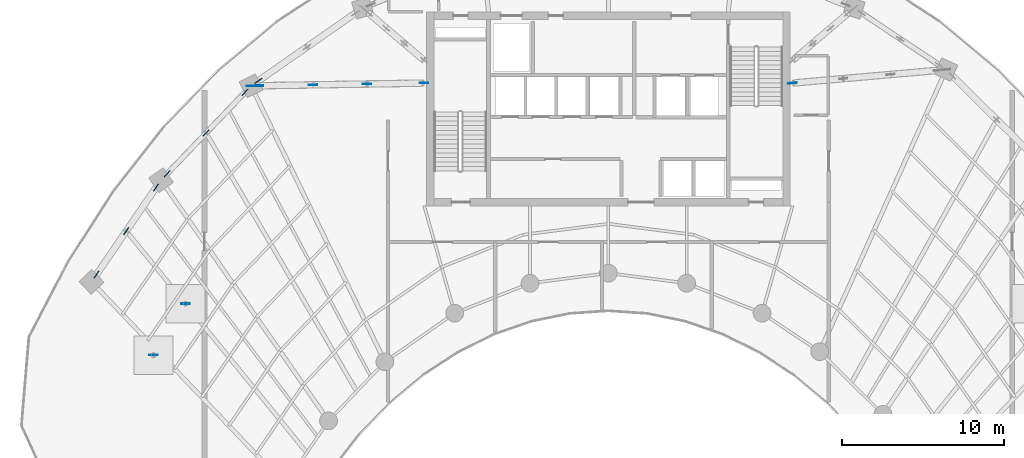
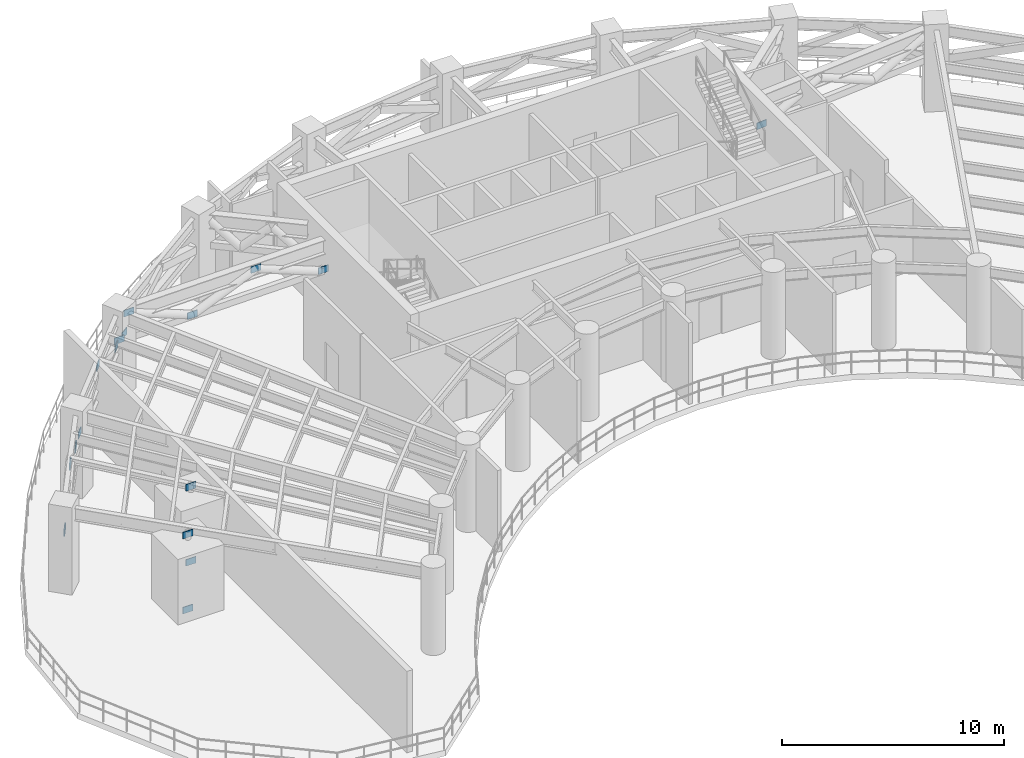
# One storey, part 8 of 24: 17 plates.
"""IFC4 building model written with IfcOpenShell, lengths in metres."""

from ifc_helpers import new_model, si_unit, direction, frame, origin, origin_2d, place, context, subcontext, project, spatial, rectangle, extrude, source, transform, mapped, material, layer, layer_set, type_object, element, save


model = new_model("IFC4")

# Units and contexts
model_context = context("Model", 3, precision=1e-05, world=origin(), true_north=direction((0.0, 1.0)))
body_context = subcontext(model_context, "Body", "Model", "MODEL_VIEW")
ifc_project = project(units=[si_unit("LENGTHUNIT", "METRE"), si_unit("AREAUNIT", "SQUARE_METRE"), si_unit("VOLUMEUNIT", "CUBIC_METRE"), si_unit("PLANEANGLEUNIT", "RADIAN"), si_unit("MASSUNIT", "GRAM", prefix="KILO")], contexts=[model_context])

# Site, building, storey
site_placement = place(None, origin())
site = spatial("IfcSite", under=ifc_project, at=site_placement, CompositionType="ELEMENT")
building_placement = place(site_placement, origin())
building = spatial("IfcBuilding", under=site, at=building_placement, Name="Breltana Convention Tower", CompositionType="ELEMENT")
storey_placement = place(building_placement, frame((0.0, 0.0, 189.60009765625)))
storey = spatial("IfcBuildingStorey", under=building, at=storey_placement, Name="L46", CompositionType="ELEMENT", Elevation=189.60009765625)

# Plates
ifc_material = material(Name="Steel S355", Category="steel")
ifc_layer = layer(ifc_material, 0.0400390625, Name="Steel S355")
ifc_layer_set = layer_set([ifc_layer], Name="Steel S355")
plate_type = type_object("IfcPlateType", Name="PL-GUSSET-40", PredefinedType="USERDEFINED", material=ifc_layer_set)
shared_shape = source(origin(), body_context, "Body", "SweptSolid", [
    extrude(rectangle(XDim=0.52001953125, YDim=0.0400390625, at=origin_2d()), origin(), (0.0, 0.0, 1.0), 0.360107421875),
])
for number, where, z_axis, x_axis, name in (
    (1, (36.60009765625, 67.800048828125, 2.56982421875), (0.0, 0.0, 1.0), (-0.999868271089, -0.016230849315, 0.0), "L46 Structural Brace Node Gusset Plate 001"),
    (2, (25.8876953125, 67.626953125, 2.56982421875), (0.0, 0.0, 1.0), (-0.999868271089, -0.016230849315, 0.0), "L46 Structural Brace Node Gusset Plate 002"),
    (3, (33.0625, 67.742919921875, 3.91357421875), (0.0, 0.0, 1.0), (-0.999868271089, -0.016230849315, 0.0), "L46 Structural Brace Node Gusset Plate 003"),
    (4, (29.72509765625, 67.68896484375, 2.56982421875), (0.0, 0.0, 1.0), (-0.999868271089, -0.016230849315, 0.0), "L46 Structural Brace Node Gusset Plate 004"),
    (5, (26.3876953125, 67.635009765625, 3.91357421875), (0.0, 0.0, 1.0), (-0.999868271089, -0.016230849315, 0.0), "L46 Structural Brace Node Gusset Plate 005"),
    (6, (59.39990234375, 67.800048828125, 2.56982421875), (0.0, 0.0, 1.0), (0.996179471372, 0.087329610194, 0.0), "L46 Structural Brace Node Gusset Plate 016"),
    (7, (16.3173828125, 55.948486328125, 2.56982421875), (0.0, 0.0, 1.0), (0.564534897583, 0.825409201191, 0.0), "L46 Structural Brace Node Gusset Plate 021"),
    (8, (18.158935546875, 58.6416015625, 3.91357421875), (0.0, 0.0, 1.0), (0.564534897583, 0.825409201191, 0.0), "L46 Structural Brace Node Gusset Plate 022"),
    (9, (20.00048828125, 61.334716796875, 2.56982421875), (0.0, 0.0, 1.0), (0.564390827903, 0.825507718546, 0.0), "L46 Structural Brace Node Gusset Plate 023"),
    (10, (20.69091796875, 62.186279296875, 2.56982421875), (0.0, 0.0, 1.0), (0.690756218984, 0.723087716626, 0.0), "L46 Structural Brace Node Gusset Plate 024"),
    (11, (23.099365234375, 64.707763671875, 3.91357421875), (0.0, 0.0, 1.0), (0.690756218984, 0.723087716626, 0.0), "L46 Structural Brace Node Gusset Plate 025"),
    (12, (25.5078125, 67.229248046875, 2.56982421875), (0.0, 0.0, 1.0), (0.690756218984, 0.723087716626, 0.0), "L46 Structural Brace Node Gusset Plate 026"),
    (13, (26.3388671875, 67.941650390625, 2.56982421875), (0.0, 0.0, 1.0), (0.820151875874, 0.572145873446, 0.0), "L46 Structural Brace Node Gusset Plate 027"),
    (14, (19.8359375, 50.958740234375, 0.0), (0.0, 0.0, 1.0), (1.0, 0.0, 0.0), "L46 Structural Brace Node Gusset Plate 051"),
    (15, (19.8359375, 50.958740234375, 4.11962890625), (0.0, 0.0, 1.0), (1.0, 0.0, 0.0), "L46 Structural Brace Node Gusset Plate 052"),
    (16, (21.82666015625, 54.1376953125, 0.0), (0.0, 0.0, 1.0), (1.0, 0.0, 0.0), "L46 Structural Brace Node Gusset Plate 053"),
    (17, (21.82666015625, 54.1376953125, 4.11962890625), (0.0, 0.0, 1.0), (1.0, 0.0, 0.0), "L46 Structural Brace Node Gusset Plate 054"),
):
    element("IfcPlate", number, at=place(storey_placement, frame(where, z_axis=z_axis, x_axis=x_axis)), inside=storey, type_object=plate_type, Name=name, ObjectType="GUSSET_PLATE", PredefinedType="USERDEFINED", context=body_context, shape_type="MappedRepresentation", body=[
        mapped(shared_shape, transform((0.0, 0.0, 0.0), scale=1.0)),
    ])

save(model, "model.ifc")
